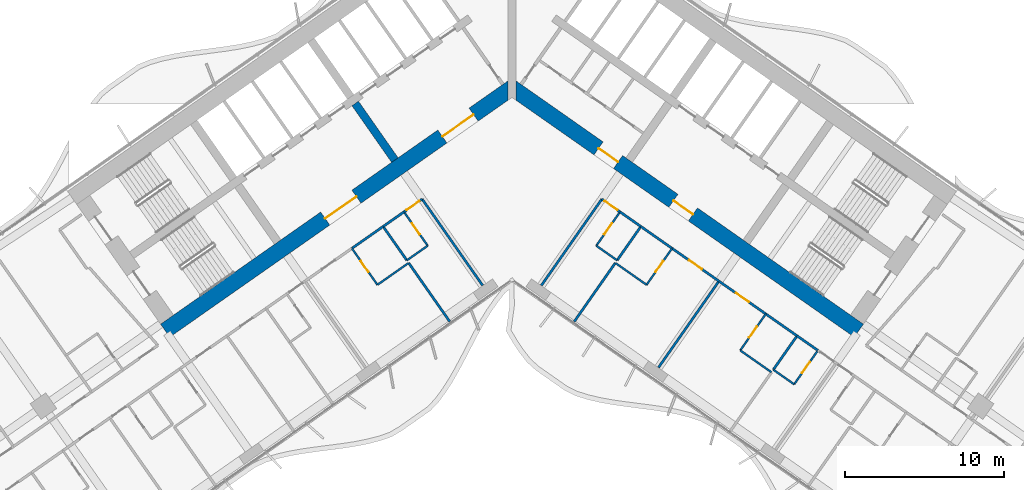
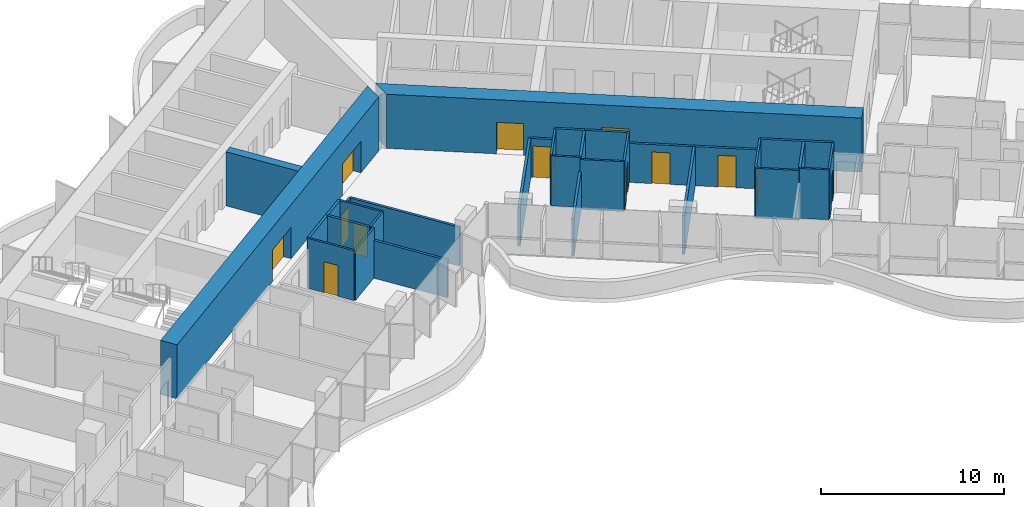
# One storey, part 15 of 25: 33 walls, 14 doors, 14 openings.
"""IFC4 building model written with IfcOpenShell, lengths in metres."""

from ifc_helpers import new_model, si_unit, direction, frame, frame_2d, origin, place, context, subcontext, project, spatial, polyline, rectangle, outline, extrude, material, layer, layer_set, type_object, element, fill, save


model = new_model("IFC4")

# Units and contexts
model_context = context("Model", 3, precision=1e-05, world=origin(), true_north=direction((0.0, 1.0)))
body_context = subcontext(model_context, "Body", "Model", "MODEL_VIEW")
ifc_project = project(units=[si_unit("LENGTHUNIT", "METRE"), si_unit("AREAUNIT", "SQUARE_METRE"), si_unit("VOLUMEUNIT", "CUBIC_METRE"), si_unit("PLANEANGLEUNIT", "RADIAN"), si_unit("MASSUNIT", "GRAM", prefix="KILO")], contexts=[model_context])

# Site, building, storey
site_placement = place(None, origin())
site = spatial("IfcSite", under=ifc_project, at=site_placement, CompositionType="ELEMENT")
building_placement = place(site_placement, origin())
building = spatial("IfcBuilding", under=site, at=building_placement, Name="Tel Ilan Convention Tower", CompositionType="ELEMENT")
storey_placement = place(building_placement, frame((0.0, 0.0, 61.699951171875)))
storey = spatial("IfcBuildingStorey", under=building, at=storey_placement, Name="L10", CompositionType="ELEMENT", Elevation=61.699951171875)

# Wall, openings, doors
ifc_material_1 = material(Name="Concrete C60/75", Category="concrete")
ifc_layer_1 = layer(ifc_material_1, 1.0)
ifc_layer_set_1 = layer_set([ifc_layer_1], Name="Core Shear Wall 1000 mm C60/75")
wall_type_1 = type_object("IfcWallType", Name="Core Shear Wall 1000 mm C60/75", PredefinedType="SHEAR", material=ifc_layer_set_1)
wall_1_placement = place(storey_placement, frame((0.036865234375, -0.584716796875, 0.0), z_axis=(0.0, 0.0, 1.0), x_axis=(-0.819157152511, -0.573569140985, 0.0)))
wall_1 = element("IfcWall", 1, at=wall_1_placement, inside=storey, type_object=wall_type_1, Name="L10 core wall W-front", PredefinedType="SHEAR", context=body_context, shape_type="SweptSolid", body=[
    extrude(outline(polyline([(26.69482421875, 0.500244140625), (0.7001953125, 0.499755859375), (0.0, -0.5), (26.69482421875, -0.499755859375), (26.69482421875, 0.500244140625)])), origin(), (0.0, 0.0, 1.0), 3.60009765625),
])
opening_1_placement = place(wall_1_placement, frame((2.994873046875, 0.0, 0.0)))
opening_1 = element("IfcOpeningElement", 2, at=opening_1_placement, cuts=wall_1, Name="Opening CD1105", PredefinedType="OPENING", context=body_context, shape_type="SweptSolid", body=[
    extrude(rectangle(XDim=2.39990234375, YDim=2.10009765625, at=frame_2d((1.199951171875, 1.050048828125))), frame((0.0, 0.510009765625, 0.0), z_axis=(0.0, -1.0, 0.0), x_axis=(1.0, 0.0, 0.0)), (0.0, 0.0, 1.0), 1.02001953125),
])
opening_2_placement = place(wall_1_placement, frame((11.994873046875, 0.0, 0.0)))
opening_2 = element("IfcOpeningElement", 3, at=opening_2_placement, cuts=wall_1, Name="Opening CD1106", PredefinedType="OPENING", context=body_context, shape_type="SweptSolid", body=[
    extrude(rectangle(XDim=2.39990234375, YDim=2.10009765625, at=frame_2d((1.199951171875, 1.050048828125))), frame((0.0, 0.510009765625, 0.0), z_axis=(0.0, -1.0, 0.0), x_axis=(1.0, 0.0, 0.0)), (0.0, 0.0, 1.0), 1.02001953125),
])
ifc_material_2 = material(Name="Glazed Aluminium Door Leaf", Category="aluminium")
door_type_1 = type_object("IfcDoorType", Name="Lobby Opening Door 2400 x 2100 FD60S", OperationType="NOTDEFINED", PredefinedType="DOOR", material=ifc_material_2)
door_1_placement = place(opening_1_placement, origin())
door_1 = element("IfcDoor", 4, at=door_1_placement, inside=storey, type_object=door_type_1, Name="Lift Lobby LR1-LR4 opening", OperationType="DOUBLE_DOOR_SINGLE_SWING", OverallHeight=2.10009765625, OverallWidth=2.39990234375, PredefinedType="DOOR", context=body_context, shape_type="SweptSolid", body=[
    extrude(rectangle(XDim=2.39990234375, YDim=2.10009765625, at=frame_2d((1.199951171875, 1.050048828125))), frame((0.0, 0.02490234375, 0.0), z_axis=(0.0, -1.0, 0.0), x_axis=(1.0, 0.0, 0.0)), (0.0, 0.0, 1.0), 0.050048828125),
])
fill(opening_1, door_1)
door_2_placement = place(opening_2_placement, origin())
door_2 = element("IfcDoor", 5, at=door_2_placement, inside=storey, type_object=door_type_1, Name="Lift Lobby LR5-LR8 opening", OperationType="DOUBLE_DOOR_SINGLE_SWING", OverallHeight=2.10009765625, OverallWidth=2.39990234375, PredefinedType="DOOR", context=body_context, shape_type="SweptSolid", body=[
    extrude(rectangle(XDim=2.39990234375, YDim=2.10009765625, at=frame_2d((1.199951171875, 1.050048828125))), frame((0.0, 0.02490234375, 0.0), z_axis=(0.0, -1.0, 0.0), x_axis=(1.0, 0.0, 0.0)), (0.0, 0.0, 1.0), 0.050048828125),
])
fill(opening_2, door_2)

wall_2_placement = place(storey_placement, frame((-0.036865234375, -0.584716796875, 0.0), z_axis=(0.0, 0.0, 1.0), x_axis=(0.819157152511, -0.573569140985, 0.0)))
wall_2 = element("IfcWall", 6, at=wall_2_placement, inside=storey, type_object=wall_type_1, Name="L10 core wall E-front", PredefinedType="SHEAR", context=body_context, shape_type="SweptSolid", body=[
    extrude(outline(polyline([(26.69482421875, 0.499755859375), (0.0, 0.5), (0.7001953125, -0.499755859375), (26.69482421875, -0.500244140625), (26.69482421875, 0.499755859375)])), origin(), (0.0, 0.0, 1.0), 3.60009765625),
])
opening_3_placement = place(wall_2_placement, frame((6.69482421875, 0.0, 0.0)))
opening_3 = element("IfcOpeningElement", 7, at=opening_3_placement, cuts=wall_2, Name="Opening CD1103", PredefinedType="OPENING", context=body_context, shape_type="SweptSolid", body=[
    extrude(rectangle(XDim=1.5, YDim=2.10009765625, at=frame_2d((0.75, 1.050048828125))), frame((0.0, 0.510009765625, 0.0), z_axis=(0.0, -1.0, 0.0), x_axis=(1.0, 0.0, 0.0)), (0.0, 0.0, 1.0), 1.02001953125),
])
opening_4_placement = place(wall_2_placement, frame((12.44482421875, 0.0, 0.0)))
opening_4 = element("IfcOpeningElement", 8, at=opening_4_placement, cuts=wall_2, Name="Opening CD1104", PredefinedType="OPENING", context=body_context, shape_type="SweptSolid", body=[
    extrude(rectangle(XDim=1.5, YDim=2.10009765625, at=frame_2d((0.75, 1.050048828125))), frame((0.0, 0.510009765625, 0.0), z_axis=(0.0, -1.0, 0.0), x_axis=(1.0, 0.0, 0.0)), (0.0, 0.0, 1.0), 1.02001953125),
])
ifc_material_3 = material(Name="Glazed Aluminium Door Leaf", Category="aluminium")
door_type_2 = type_object("IfcDoorType", Name="Lobby Opening Door 1500 x 2100 FD60S", OperationType="NOTDEFINED", PredefinedType="DOOR", material=ifc_material_3)
door_3_placement = place(opening_4_placement, origin())
door_3 = element("IfcDoor", 9, at=door_3_placement, inside=storey, type_object=door_type_2, Name="Firefighting Lobby door", OperationType="DOUBLE_DOOR_SINGLE_SWING", OverallHeight=2.10009765625, OverallWidth=1.5, PredefinedType="DOOR", context=body_context, shape_type="SweptSolid", body=[
    extrude(rectangle(XDim=1.5, YDim=2.10009765625, at=frame_2d((0.75, 1.050048828125))), frame((0.0, 0.02490234375, 0.0), z_axis=(0.0, -1.0, 0.0), x_axis=(1.0, 0.0, 0.0)), (0.0, 0.0, 1.0), 0.050048828125),
])
fill(opening_4, door_3)
ifc_material_4 = material(Name="Laminated Timber Door Leaf", Category="wood")
door_type_3 = type_object("IfcDoorType", Name="Toilet Door 1500 x 2100 FD30S", OperationType="NOTDEFINED", PredefinedType="DOOR", material=ifc_material_4)
door_4_placement = place(opening_3_placement, origin())
door_4 = element("IfcDoor", 10, at=door_4_placement, inside=storey, type_object=door_type_3, Name="WC Lobby door", OperationType="SINGLE_SWING_RIGHT", OverallHeight=2.10009765625, OverallWidth=1.5, PredefinedType="DOOR", context=body_context, shape_type="SweptSolid", body=[
    extrude(rectangle(XDim=1.5, YDim=2.10009765625, at=frame_2d((0.75, 1.050048828125))), frame((0.0, 0.02490234375, 0.0), z_axis=(0.0, -1.0, 0.0), x_axis=(1.0, 0.0, 0.0)), (0.0, 0.0, 1.0), 0.050048828125),
])
fill(opening_3, door_4)

# Wall
ifc_material_5 = material(Name="Concrete C60/75", Category="concrete")
ifc_layer_2 = layer(ifc_material_5, 0.5)
ifc_layer_set_2 = layer_set([ifc_layer_2], Name="Core Shear Wall 500 mm C60/75")
wall_type_2 = type_object("IfcWallType", Name="Core Shear Wall 500 mm C60/75", PredefinedType="SHEAR", material=ifc_layer_set_2)
wall_3_placement = place(storey_placement, frame((-7.372314453125, -5.162109375, 0.0), z_axis=(0.0, 0.0, 1.0), x_axis=(-0.573594173421, 0.819139624372, 0.0)))
element("IfcWall", 11, at=wall_3_placement, inside=storey, type_object=wall_type_2, Name="L10 core wall W-cross1-1", PredefinedType="SHEAR", context=body_context, shape_type="SweptSolid", body=[
    extrude(outline(polyline([(4.349853515625, 0.25), (0.0, 0.250244140625), (0.0, -0.25), (4.349853515625, -0.25), (4.349853515625, 0.25)])), origin(), (0.0, 0.0, 1.0), 3.60009765625),
])

# Wall, opening, door
ifc_material_6 = material(Name="Plasterboard on Steel Studs", Category="steel")
ifc_layer_3 = layer(ifc_material_6, 0.14990234375)
ifc_layer_set_3 = layer_set([ifc_layer_3], Name="Fire-rated Partition 150 EI 60")
wall_type_3 = type_object("IfcWallType", Name="Fire-rated Partition 150 EI 60", PredefinedType="PARTITIONING", material=ifc_layer_set_3)
wall_4_placement = place(storey_placement, frame((6.79931640625, -8.423095703125, 0.0), z_axis=(0.0, 0.0, 1.0), x_axis=(-0.819207359301, 0.573497430219, 0.0)))
wall_4 = element("IfcWall", 12, at=wall_4_placement, inside=storey, type_object=wall_type_3, Name="Partition 009", PredefinedType="PARTITIONING", context=body_context, shape_type="SweptSolid", body=[
    extrude(rectangle(XDim=1.40087890625, YDim=0.14990234375, at=frame_2d((0.700439453125, 0.0))), origin(), (0.0, 0.0, 1.0), 2.60009765625),
])
opening_5_placement = place(wall_4_placement, frame((0.200927734375, 0.0, 0.0)))
opening_5 = element("IfcOpeningElement", 13, at=opening_5_placement, cuts=wall_4, Name="Opening L08-025", PredefinedType="OPENING", context=body_context, shape_type="SweptSolid", body=[
    extrude(rectangle(XDim=1.0, YDim=2.10009765625, at=frame_2d((0.5, 1.050048828125))), frame((0.0, 0.0849609375, 0.0), z_axis=(0.0, -1.0, 0.0), x_axis=(1.0, 0.0, 0.0)), (0.0, 0.0, 1.0), 0.169921875),
])
ifc_material_7 = material(Name="Timber Door Leaf in Steel Frame", Category="steel")
door_type_4 = type_object("IfcDoorType", Name="Hotel Room Entrance Fire Door 1000x2100", OperationType="NOTDEFINED", PredefinedType="DOOR", material=ifc_material_7)
door_5_placement = place(opening_5_placement, origin())
door_5 = element("IfcDoor", 14, at=door_5_placement, inside=storey, type_object=door_type_4, Name="Door L08-025", OperationType="SINGLE_SWING_RIGHT", OverallHeight=2.10009765625, OverallWidth=1.0, PredefinedType="DOOR", context=body_context, shape_type="SweptSolid", body=[
    extrude(rectangle(XDim=1.0, YDim=2.10009765625, at=frame_2d((0.5, 1.050048828125))), frame((0.0, 0.02490234375, 0.0), z_axis=(0.0, -1.0, 0.0), x_axis=(1.0, 0.0, 0.0)), (0.0, 0.0, 1.0), 0.050048828125),
])
fill(opening_5, door_5)

# Wall
wall_5_placement = place(storey_placement, frame((8.110595703125, -9.341552734375, 0.0), z_axis=(0.0, 0.0, 1.0), x_axis=(-0.8190674132, 0.573697283098, 0.0)))
element("IfcWall", 15, at=wall_5_placement, inside=storey, type_object=wall_type_3, Name="Partition 011", PredefinedType="PARTITIONING", context=body_context, shape_type="SweptSolid", body=[
    extrude(rectangle(XDim=1.60400390625, YDim=0.14990234375, at=frame_2d((0.802001953125, 0.0))), origin(), (0.0, 0.0, 1.0), 3.320068359375),
])

# Wall, opening, door
wall_6_placement = place(storey_placement, frame((13.025634765625, -12.782958984375, 0.0), z_axis=(0.0, 0.0, 1.0), x_axis=(-0.819145961204, 0.573585123798, 0.0)))
wall_6 = element("IfcWall", 16, at=wall_6_placement, inside=storey, type_object=wall_type_3, Name="Partition 012", PredefinedType="PARTITIONING", context=body_context, shape_type="SweptSolid", body=[
    extrude(rectangle(XDim=3.60302734375, YDim=0.14990234375, at=frame_2d((1.801513671875, 0.0))), origin(), (0.0, 0.0, 1.0), 2.60009765625),
])
opening_6_placement = place(wall_6_placement, frame((1.302001953125, 0.0, 0.0)))
opening_6 = element("IfcOpeningElement", 17, at=opening_6_placement, cuts=wall_6, Name="Opening L08-027", PredefinedType="OPENING", context=body_context, shape_type="SweptSolid", body=[
    extrude(rectangle(XDim=1.0, YDim=2.10009765625, at=frame_2d((0.5, 1.050048828125))), frame((0.0, 0.0849609375, 0.0), z_axis=(0.0, -1.0, 0.0), x_axis=(1.0, 0.0, 0.0)), (0.0, 0.0, 1.0), 0.169921875),
])
door_6_placement = place(opening_6_placement, origin())
door_6 = element("IfcDoor", 18, at=door_6_placement, inside=storey, type_object=door_type_4, Name="Door L08-027", OperationType="SINGLE_SWING_LEFT", OverallHeight=2.10009765625, OverallWidth=1.0, PredefinedType="DOOR", context=body_context, shape_type="SweptSolid", body=[
    extrude(rectangle(XDim=1.0, YDim=2.10009765625, at=frame_2d((0.5, 1.050048828125))), frame((0.0, 0.02490234375, 0.0), z_axis=(0.0, -1.0, 0.0), x_axis=(1.0, 0.0, 0.0)), (0.0, 0.0, 1.0), 0.050048828125),
])
fill(opening_6, door_6)

# Wall
wall_7_placement = place(storey_placement, frame((10.07666015625, -10.718017578125, 0.0), z_axis=(0.0, 0.0, 1.0), x_axis=(-0.819146032251, 0.573585022335, 0.0)))
element("IfcWall", 19, at=wall_7_placement, inside=storey, type_object=wall_type_3, Name="Partition 013", PredefinedType="PARTITIONING", context=body_context, shape_type="SweptSolid", body=[
    extrude(rectangle(XDim=2.404052734375, YDim=0.14990234375, at=frame_2d((1.2021484375, 0.0))), origin(), (0.0, 0.0, 1.0), 3.320068359375),
])

# Wall, opening, door
wall_8_placement = place(storey_placement, frame((15.973876953125, -14.847412109375, 0.0), z_axis=(0.0, 0.0, 1.0), x_axis=(-0.819145961204, 0.573585123798, 0.0)))
wall_8 = element("IfcWall", 20, at=wall_8_placement, inside=storey, type_object=wall_type_3, Name="Partition 014", PredefinedType="PARTITIONING", context=body_context, shape_type="SweptSolid", body=[
    extrude(rectangle(XDim=3.60302734375, YDim=0.14990234375, at=frame_2d((1.801513671875, 0.0))), origin(), (0.0, 0.0, 1.0), 2.60009765625),
])
opening_7_placement = place(wall_8_placement, frame((1.301025390625, 0.0, 0.0)))
opening_7 = element("IfcOpeningElement", 21, at=opening_7_placement, cuts=wall_8, Name="Opening L08-029", PredefinedType="OPENING", context=body_context, shape_type="SweptSolid", body=[
    extrude(rectangle(XDim=1.0, YDim=2.10009765625, at=frame_2d((0.5, 1.050048828125))), frame((0.0, 0.0849609375, 0.0), z_axis=(0.0, -1.0, 0.0), x_axis=(1.0, 0.0, 0.0)), (0.0, 0.0, 1.0), 0.169921875),
])
door_7_placement = place(opening_7_placement, origin())
door_7 = element("IfcDoor", 22, at=door_7_placement, inside=storey, type_object=door_type_4, Name="Door L08-029", OperationType="SINGLE_SWING_LEFT", OverallHeight=2.10009765625, OverallWidth=1.0, PredefinedType="DOOR", context=body_context, shape_type="SweptSolid", body=[
    extrude(rectangle(XDim=1.0, YDim=2.10009765625, at=frame_2d((0.5, 1.050048828125))), frame((0.0, 0.02490234375, 0.0), z_axis=(0.0, -1.0, 0.0), x_axis=(1.0, 0.0, 0.0)), (0.0, 0.0, 1.0), 0.050048828125),
])
fill(opening_7, door_7)

# Walls
wall_9_placement = place(storey_placement, frame((17.940673828125, -16.224365234375, 0.0), z_axis=(0.0, 0.0, 1.0), x_axis=(-0.81922714955, 0.573469159974, 0.0)))
element("IfcWall", 23, at=wall_9_placement, inside=storey, type_object=wall_type_3, Name="Partition 015", PredefinedType="PARTITIONING", context=body_context, shape_type="SweptSolid", body=[
    extrude(rectangle(XDim=2.404052734375, YDim=0.14990234375, at=frame_2d((1.2021484375, 0.0))), origin(), (0.0, 0.0, 1.0), 3.320068359375),
])
wall_10_placement = place(storey_placement, frame((19.251220703125, -17.14208984375, 0.0), z_axis=(0.0, 0.0, 1.0), x_axis=(-0.819189013667, 0.573523634986, 0.0)))
element("IfcWall", 24, at=wall_10_placement, inside=storey, type_object=wall_type_3, Name="Partition 017", PredefinedType="PARTITIONING", context=body_context, shape_type="SweptSolid", body=[
    extrude(rectangle(XDim=1.60400390625, YDim=0.14990234375, at=frame_2d((0.802001953125, 0.0))), origin(), (0.0, 0.0, 1.0), 3.320068359375),
])

# Wall, opening, door
wall_11_placement = place(storey_placement, frame((-5.651611328125, -7.61962890625, 0.0), z_axis=(0.0, 0.0, 1.0), x_axis=(-0.819207359301, -0.573497430219, 0.0)))
wall_11 = element("IfcWall", 25, at=wall_11_placement, inside=storey, type_object=wall_type_3, Name="Partition 035", PredefinedType="PARTITIONING", context=body_context, shape_type="SweptSolid", body=[
    extrude(rectangle(XDim=1.40087890625, YDim=0.14990234375, at=frame_2d((0.700439453125, 0.0))), origin(), (0.0, 0.0, 1.0), 2.60009765625),
])
opening_8_placement = place(wall_11_placement, frame((0.199951171875, 0.0, 0.0)))
opening_8 = element("IfcOpeningElement", 26, at=opening_8_placement, cuts=wall_11, Name="Opening L08-002", PredefinedType="OPENING", context=body_context, shape_type="SweptSolid", body=[
    extrude(rectangle(XDim=1.0, YDim=2.10009765625, at=frame_2d((0.5, 1.050048828125))), frame((0.0, 0.0849609375, 0.0), z_axis=(0.0, -1.0, 0.0), x_axis=(1.0, 0.0, 0.0)), (0.0, 0.0, 1.0), 0.169921875),
])
door_8_placement = place(opening_8_placement, origin())
door_8 = element("IfcDoor", 27, at=door_8_placement, inside=storey, type_object=door_type_4, Name="Door L08-002", OperationType="SINGLE_SWING_LEFT", OverallHeight=2.10009765625, OverallWidth=1.0, PredefinedType="DOOR", context=body_context, shape_type="SweptSolid", body=[
    extrude(rectangle(XDim=1.0, YDim=2.10009765625, at=frame_2d((0.5, 1.050048828125))), frame((0.0, 0.02490234375, 0.0), z_axis=(0.0, -1.0, 0.0), x_axis=(1.0, 0.0, 0.0)), (0.0, 0.0, 1.0), 0.050048828125),
])
fill(opening_8, door_8)

# Walls
wall_12_placement = place(storey_placement, frame((-6.796875, -8.42138671875, 0.0), z_axis=(0.0, 0.0, 1.0), x_axis=(-0.8190674132, -0.573697283098, 0.0)))
element("IfcWall", 28, at=wall_12_placement, inside=storey, type_object=wall_type_3, Name="Partition 036", PredefinedType="PARTITIONING", context=body_context, shape_type="SweptSolid", body=[
    extrude(rectangle(XDim=1.60400390625, YDim=0.14990234375, at=frame_2d((0.802001953125, 0.0))), origin(), (0.0, 0.0, 1.0), 3.320068359375),
])
wall_13_placement = place(storey_placement, frame((-8.107421875, -9.339111328125, 0.0), z_axis=(0.0, 0.0, 1.0), x_axis=(-0.819146032251, -0.573585022335, 0.0)))
element("IfcWall", 29, at=wall_13_placement, inside=storey, type_object=wall_type_3, Name="Partition 038", PredefinedType="PARTITIONING", context=body_context, shape_type="SweptSolid", body=[
    extrude(rectangle(XDim=2.404052734375, YDim=0.14990234375, at=frame_2d((1.2021484375, 0.0))), origin(), (0.0, 0.0, 1.0), 3.320068359375),
])
wall_14_placement = place(storey_placement, frame((6.503662109375, -11.63330078125, 0.0), z_axis=(0.0, 0.0, 1.0), x_axis=(-0.573556991349, -0.819165659482, 0.0)))
element("IfcWall", 30, at=wall_14_placement, inside=storey, type_object=wall_type_3, Name="Partition 070", PredefinedType="PARTITIONING", context=body_context, shape_type="SweptSolid", body=[
    extrude(rectangle(XDim=4.5009765625, YDim=0.14990234375, at=frame_2d((2.25048828125, 0.0))), origin(), (0.0, 0.0, 1.0), 2.5),
])
wall_15_placement = place(storey_placement, frame((1.848876953125, -13.050537109375, 0.0), z_axis=(0.0, 0.0, 1.0), x_axis=(0.57357355307, 0.819154063177, 0.0)))
element("IfcWall", 31, at=wall_15_placement, inside=storey, type_object=wall_type_3, Name="Partition 071", PredefinedType="PARTITIONING", context=body_context, shape_type="SweptSolid", body=[
    extrude(rectangle(XDim=6.6298828125, YDim=0.14990234375, at=frame_2d((3.31494140625, 0.0))), origin(), (0.0, 0.0, 1.0), 2.60009765625),
])
wall_16_placement = place(storey_placement, frame((8.109130859375, -9.34033203125, 0.0), z_axis=(0.0, 0.0, 1.0), x_axis=(-0.573537965655, -0.819178980414, 0.0)))
element("IfcWall", 32, at=wall_16_placement, inside=storey, type_object=wall_type_3, Name="Partition 074", PredefinedType="PARTITIONING", context=body_context, shape_type="SweptSolid", body=[
    extrude(rectangle(XDim=2.60009765625, YDim=0.14990234375, at=frame_2d((1.300048828125, 0.0))), origin(), (0.0, 0.0, 1.0), 3.320068359375),
])
wall_17_placement = place(storey_placement, frame((13.02392578125, -12.78173828125, 0.0), z_axis=(0.0, 0.0, 1.0), x_axis=(-0.573556251799, -0.819166177294, 0.0)))
element("IfcWall", 33, at=wall_17_placement, inside=storey, type_object=wall_type_3, Name="Partition 077", PredefinedType="PARTITIONING", context=body_context, shape_type="SweptSolid", body=[
    extrude(rectangle(XDim=6.630126953125, YDim=0.14990234375, at=frame_2d((3.31494140625, 0.0))), origin(), (0.0, 0.0, 1.0), 2.60009765625),
])
wall_18_placement = place(storey_placement, frame((17.93896484375, -16.223388671875, 0.0), z_axis=(0.0, 0.0, 1.0), x_axis=(-0.573588285102, -0.819143747577, 0.0)))
element("IfcWall", 34, at=wall_18_placement, inside=storey, type_object=wall_type_3, Name="Partition 081", PredefinedType="PARTITIONING", context=body_context, shape_type="SweptSolid", body=[
    extrude(rectangle(XDim=2.601806640625, YDim=0.14990234375, at=frame_2d((1.30078125, 0.0))), origin(), (0.0, 0.0, 1.0), 3.320068359375),
])
wall_19_placement = place(storey_placement, frame((-1.848876953125, -13.050537109375, 0.0), z_axis=(0.0, 0.0, 1.0), x_axis=(-0.573575988258, 0.819152358047, 0.0)))
element("IfcWall", 35, at=wall_19_placement, inside=storey, type_object=wall_type_3, Name="Partition 101", PredefinedType="PARTITIONING", context=body_context, shape_type="SweptSolid", body=[
    extrude(rectangle(XDim=6.632080078125, YDim=0.14990234375, at=frame_2d((3.31591796875, 0.0))), origin(), (0.0, 0.0, 1.0), 2.60009765625),
])
wall_20_placement = place(storey_placement, frame((-3.922119140625, -15.3203125, 0.0), z_axis=(0.0, 0.0, 1.0), x_axis=(-0.573556991349, 0.819165659482, 0.0)))
element("IfcWall", 36, at=wall_20_placement, inside=storey, type_object=wall_type_3, Name="Partition 118", PredefinedType="PARTITIONING", context=body_context, shape_type="SweptSolid", body=[
    extrude(rectangle(XDim=4.5009765625, YDim=0.14990234375, at=frame_2d((2.25048828125, 0.0))), origin(), (0.0, 0.0, 1.0), 2.5),
])
wall_21_placement = place(storey_placement, frame((-6.617919921875, -11.47021484375, 0.0), z_axis=(0.0, 0.0, 1.0), x_axis=(-0.573537965655, 0.819178980414, 0.0)))
element("IfcWall", 37, at=wall_21_placement, inside=storey, type_object=wall_type_3, Name="Partition 119", PredefinedType="PARTITIONING", context=body_context, shape_type="SweptSolid", body=[
    extrude(rectangle(XDim=2.60009765625, YDim=0.14990234375, at=frame_2d((1.300048828125, 0.0))), origin(), (0.0, 0.0, 1.0), 3.320068359375),
])

# Wall, opening, door
ifc_material_8 = material(Name="Plasterboard on Steel Studs", Category="steel")
ifc_layer_4 = layer(ifc_material_8, 0.1201171875)
ifc_layer_set_4 = layer_set([ifc_layer_4], Name="Moisture-resistant Partition 120")
wall_type_4 = type_object("IfcWallType", Name="Moisture-resistant Partition 120", PredefinedType="PARTITIONING", material=ifc_layer_set_4)
wall_22_placement = place(storey_placement, frame((6.797607421875, -8.422119140625, 0.0), z_axis=(0.0, 0.0, 1.0), x_axis=(-0.573537965655, -0.819178980414, 0.0)))
wall_22 = element("IfcWall", 38, at=wall_22_placement, inside=storey, type_object=wall_type_4, Name="Partition 068", PredefinedType="PARTITIONING", context=body_context, shape_type="SweptSolid", body=[
    extrude(rectangle(XDim=2.60009765625, YDim=0.1201171875, at=frame_2d((1.300048828125, 0.0))), origin(), (0.0, 0.0, 1.0), 3.320068359375),
])
opening_9_placement = place(wall_22_placement, frame((0.875, 0.0, 0.0)))
opening_9 = element("IfcOpeningElement", 39, at=opening_9_placement, cuts=wall_22, Name="Opening L08-024", PredefinedType="OPENING", context=body_context, shape_type="SweptSolid", body=[
    extrude(rectangle(XDim=0.85009765625, YDim=2.050048828125, at=frame_2d((0.425048828125, 1.02490234375))), frame((0.0, 0.070068359375, 0.0), z_axis=(0.0, -1.0, 0.0), x_axis=(1.0, 0.0, 0.0)), (0.0, 0.0, 1.0), 0.14013671875),
])
ifc_material_9 = material(Name="Timber Door Leaf in Steel Frame", Category="steel")
door_type_5 = type_object("IfcDoorType", Name="Bathroom Timber Door 850x2050", OperationType="NOTDEFINED", PredefinedType="DOOR", material=ifc_material_9)
door_9_placement = place(opening_9_placement, origin())
door_9 = element("IfcDoor", 40, at=door_9_placement, inside=storey, type_object=door_type_5, Name="Door L08-024", OperationType="SINGLE_SWING_LEFT", OverallHeight=2.050048828125, OverallWidth=0.85009765625, PredefinedType="DOOR", context=body_context, shape_type="SweptSolid", body=[
    extrude(rectangle(XDim=0.85009765625, YDim=2.050048828125, at=frame_2d((0.425048828125, 1.02490234375))), frame((0.0, 0.02490234375, 0.0), z_axis=(0.0, -1.0, 0.0), x_axis=(1.0, 0.0, 0.0)), (0.0, 0.0, 1.0), 0.050048828125),
])
fill(opening_9, door_9)

# Walls
wall_23_placement = place(storey_placement, frame((5.306640625, -10.55322265625, 0.0), z_axis=(0.0, 0.0, 1.0), x_axis=(0.819131543282, -0.57360571371, 0.0)))
element("IfcWall", 41, at=wall_23_placement, inside=storey, type_object=wall_type_4, Name="Partition 069", PredefinedType="PARTITIONING", context=body_context, shape_type="SweptSolid", body=[
    extrude(rectangle(XDim=1.599853515625, YDim=0.1201171875, at=frame_2d((0.7998046875, 0.0))), origin(), (0.0, 0.0, 1.0), 3.320068359375),
])
wall_24_placement = place(storey_placement, frame((6.50244140625, -11.634765625, 0.0), z_axis=(0.0, 0.0, 1.0), x_axis=(0.819141114317, -0.573592045652, 0.0)))
element("IfcWall", 42, at=wall_24_placement, inside=storey, type_object=wall_type_4, Name="Partition 075", PredefinedType="PARTITIONING", context=body_context, shape_type="SweptSolid", body=[
    extrude(rectangle(XDim=2.400146484375, YDim=0.1201171875, at=frame_2d((1.2001953125, 0.0))), origin(), (0.0, 0.0, 1.0), 3.320068359375),
])

# Wall, opening, door
wall_25_placement = place(storey_placement, frame((8.469970703125, -13.01123046875, 0.0), z_axis=(0.0, 0.0, 1.0), x_axis=(0.573550118428, 0.819170471667, 0.0)))
wall_25 = element("IfcWall", 43, at=wall_25_placement, inside=storey, type_object=wall_type_4, Name="Partition 076", PredefinedType="PARTITIONING", context=body_context, shape_type="SweptSolid", body=[
    extrude(rectangle(XDim=2.800048828125, YDim=0.1201171875, at=frame_2d((1.39990234375, 0.0))), origin(), (0.0, 0.0, 1.0), 3.320068359375),
])
opening_10_placement = place(wall_25_placement, frame((0.97509765625, 0.0, 0.0)))
opening_10 = element("IfcOpeningElement", 44, at=opening_10_placement, cuts=wall_25, Name="Opening L08-026", PredefinedType="OPENING", context=body_context, shape_type="SweptSolid", body=[
    extrude(rectangle(XDim=0.85009765625, YDim=2.050048828125, at=frame_2d((0.425048828125, 1.02490234375))), frame((0.0, 0.070068359375, 0.0), z_axis=(0.0, -1.0, 0.0), x_axis=(1.0, 0.0, 0.0)), (0.0, 0.0, 1.0), 0.14013671875),
])
door_10_placement = place(opening_10_placement, origin())
door_10 = element("IfcDoor", 45, at=door_10_placement, inside=storey, type_object=door_type_5, Name="Door L08-026", OperationType="SINGLE_SWING_RIGHT", OverallHeight=2.050048828125, OverallWidth=0.85009765625, PredefinedType="DOOR", context=body_context, shape_type="SweptSolid", body=[
    extrude(rectangle(XDim=0.85009765625, YDim=2.050048828125, at=frame_2d((0.425048828125, 1.02490234375))), frame((0.0, 0.02490234375, 0.0), z_axis=(0.0, -1.0, 0.0), x_axis=(1.0, 0.0, 0.0)), (0.0, 0.0, 1.0), 0.050048828125),
])
fill(opening_10, door_10)

wall_26_placement = place(storey_placement, frame((15.97216796875, -14.84619140625, 0.0), z_axis=(0.0, 0.0, 1.0), x_axis=(-0.573550118428, -0.819170471667, 0.0)))
wall_26 = element("IfcWall", 46, at=wall_26_placement, inside=storey, type_object=wall_type_4, Name="Partition 078", PredefinedType="PARTITIONING", context=body_context, shape_type="SweptSolid", body=[
    extrude(rectangle(XDim=2.800048828125, YDim=0.1201171875, at=frame_2d((1.39990234375, 0.0))), origin(), (0.0, 0.0, 1.0), 3.320068359375),
])
opening_11_placement = place(wall_26_placement, frame((0.97509765625, 0.0, 0.0)))
opening_11 = element("IfcOpeningElement", 47, at=opening_11_placement, cuts=wall_26, Name="Opening L08-028", PredefinedType="OPENING", context=body_context, shape_type="SweptSolid", body=[
    extrude(rectangle(XDim=0.85009765625, YDim=2.050048828125, at=frame_2d((0.425048828125, 1.02490234375))), frame((0.0, 0.070068359375, 0.0), z_axis=(0.0, -1.0, 0.0), x_axis=(1.0, 0.0, 0.0)), (0.0, 0.0, 1.0), 0.14013671875),
])
door_11_placement = place(opening_11_placement, origin())
door_11 = element("IfcDoor", 48, at=door_11_placement, inside=storey, type_object=door_type_5, Name="Door L08-028", OperationType="SINGLE_SWING_RIGHT", OverallHeight=2.050048828125, OverallWidth=0.85009765625, PredefinedType="DOOR", context=body_context, shape_type="SweptSolid", body=[
    extrude(rectangle(XDim=0.85009765625, YDim=2.050048828125, at=frame_2d((0.425048828125, 1.02490234375))), frame((0.0, 0.02490234375, 0.0), z_axis=(0.0, -1.0, 0.0), x_axis=(1.0, 0.0, 0.0)), (0.0, 0.0, 1.0), 0.050048828125),
])
fill(opening_11, door_11)

# Walls
wall_27_placement = place(storey_placement, frame((14.366455078125, -17.14111328125, 0.0), z_axis=(0.0, 0.0, 1.0), x_axis=(0.819155442668, -0.573571582932, 0.0)))
element("IfcWall", 49, at=wall_27_placement, inside=storey, type_object=wall_type_4, Name="Partition 079", PredefinedType="PARTITIONING", context=body_context, shape_type="SweptSolid", body=[
    extrude(rectangle(XDim=2.39990234375, YDim=0.1201171875, at=frame_2d((1.199951171875, 0.0))), origin(), (0.0, 0.0, 1.0), 3.320068359375),
])
wall_28_placement = place(storey_placement, frame((16.447021484375, -18.35400390625, 0.0), z_axis=(0.0, 0.0, 1.0), x_axis=(0.819253425856, -0.573431621227, 0.0)))
element("IfcWall", 50, at=wall_28_placement, inside=storey, type_object=wall_type_4, Name="Partition 082", PredefinedType="PARTITIONING", context=body_context, shape_type="SweptSolid", body=[
    extrude(rectangle(XDim=1.60009765625, YDim=0.1201171875, at=frame_2d((0.800048828125, 0.0))), origin(), (0.0, 0.0, 1.0), 3.320068359375),
])

# Wall, opening, door
wall_29_placement = place(storey_placement, frame((17.759033203125, -19.271484375, 0.0), z_axis=(0.0, 0.0, 1.0), x_axis=(0.573600972199, 0.819134863556, 0.0)))
wall_29 = element("IfcWall", 51, at=wall_29_placement, inside=storey, type_object=wall_type_4, Name="Partition 083", PredefinedType="PARTITIONING", context=body_context, shape_type="SweptSolid", body=[
    extrude(rectangle(XDim=2.60009765625, YDim=0.1201171875, at=frame_2d((1.300048828125, 0.0))), origin(), (0.0, 0.0, 1.0), 3.320068359375),
])
opening_12_placement = place(wall_29_placement, frame((0.875, 0.0, 0.0)))
opening_12 = element("IfcOpeningElement", 52, at=opening_12_placement, cuts=wall_29, Name="Opening L08-030", PredefinedType="OPENING", context=body_context, shape_type="SweptSolid", body=[
    extrude(rectangle(XDim=0.85009765625, YDim=2.050048828125, at=frame_2d((0.425048828125, 1.02490234375))), frame((0.0, 0.070068359375, 0.0), z_axis=(0.0, -1.0, 0.0), x_axis=(1.0, 0.0, 0.0)), (0.0, 0.0, 1.0), 0.14013671875),
])
door_12_placement = place(opening_12_placement, origin())
door_12 = element("IfcDoor", 53, at=door_12_placement, inside=storey, type_object=door_type_5, Name="Door L08-030", OperationType="SINGLE_SWING_LEFT", OverallHeight=2.050048828125, OverallWidth=0.85009765625, PredefinedType="DOOR", context=body_context, shape_type="SweptSolid", body=[
    extrude(rectangle(XDim=0.85009765625, YDim=2.050048828125, at=frame_2d((0.425048828125, 1.02490234375))), frame((0.0, 0.02490234375, 0.0), z_axis=(0.0, -1.0, 0.0), x_axis=(1.0, 0.0, 0.0)), (0.0, 0.0, 1.0), 0.050048828125),
])
fill(opening_12, door_12)

# Wall
wall_30_placement = place(storey_placement, frame((-6.6171875, -11.470947265625, 0.0), z_axis=(0.0, 0.0, 1.0), x_axis=(0.819131543282, 0.57360571371, 0.0)))
element("IfcWall", 54, at=wall_30_placement, inside=storey, type_object=wall_type_4, Name="Partition 116", PredefinedType="PARTITIONING", context=body_context, shape_type="SweptSolid", body=[
    extrude(rectangle(XDim=1.599853515625, YDim=0.1201171875, at=frame_2d((0.7998046875, 0.0))), origin(), (0.0, 0.0, 1.0), 3.320068359375),
])

# Wall, opening, door
wall_31_placement = place(storey_placement, frame((-5.306396484375, -10.552001953125, 0.0), z_axis=(0.0, 0.0, 1.0), x_axis=(-0.573537965655, 0.819178980414, 0.0)))
wall_31 = element("IfcWall", 55, at=wall_31_placement, inside=storey, type_object=wall_type_4, Name="Partition 117", PredefinedType="PARTITIONING", context=body_context, shape_type="SweptSolid", body=[
    extrude(rectangle(XDim=2.60009765625, YDim=0.1201171875, at=frame_2d((1.300048828125, 0.0))), origin(), (0.0, 0.0, 1.0), 3.320068359375),
])
opening_13_placement = place(wall_31_placement, frame((0.875, 0.0, 0.0)))
opening_13 = element("IfcOpeningElement", 56, at=opening_13_placement, cuts=wall_31, Name="Opening L08-001", PredefinedType="OPENING", context=body_context, shape_type="SweptSolid", body=[
    extrude(rectangle(XDim=0.85009765625, YDim=2.050048828125, at=frame_2d((0.425048828125, 1.02490234375))), frame((0.0, 0.070068359375, 0.0), z_axis=(0.0, -1.0, 0.0), x_axis=(1.0, 0.0, 0.0)), (0.0, 0.0, 1.0), 0.14013671875),
])
door_13_placement = place(opening_13_placement, origin())
door_13 = element("IfcDoor", 57, at=door_13_placement, inside=storey, type_object=door_type_5, Name="Door L08-001", OperationType="SINGLE_SWING_RIGHT", OverallHeight=2.050048828125, OverallWidth=0.85009765625, PredefinedType="DOOR", context=body_context, shape_type="SweptSolid", body=[
    extrude(rectangle(XDim=0.85009765625, YDim=2.050048828125, at=frame_2d((0.425048828125, 1.02490234375))), frame((0.0, 0.02490234375, 0.0), z_axis=(0.0, -1.0, 0.0), x_axis=(1.0, 0.0, 0.0)), (0.0, 0.0, 1.0), 0.050048828125),
])
fill(opening_13, door_13)

wall_32_placement = place(storey_placement, frame((-10.075927734375, -10.717529296875, 0.0), z_axis=(0.0, 0.0, 1.0), x_axis=(0.573550118428, -0.819170471667, 0.0)))
wall_32 = element("IfcWall", 58, at=wall_32_placement, inside=storey, type_object=wall_type_4, Name="Partition 120", PredefinedType="PARTITIONING", context=body_context, shape_type="SweptSolid", body=[
    extrude(rectangle(XDim=2.800048828125, YDim=0.1201171875, at=frame_2d((1.39990234375, 0.0))), origin(), (0.0, 0.0, 1.0), 3.320068359375),
])
opening_14_placement = place(wall_32_placement, frame((0.97509765625, 0.0, 0.0)))
opening_14 = element("IfcOpeningElement", 59, at=opening_14_placement, cuts=wall_32, Name="Opening L08-003", PredefinedType="OPENING", context=body_context, shape_type="SweptSolid", body=[
    extrude(rectangle(XDim=0.85009765625, YDim=2.050048828125, at=frame_2d((0.425048828125, 1.02490234375))), frame((0.0, 0.070068359375, 0.0), z_axis=(0.0, -1.0, 0.0), x_axis=(1.0, 0.0, 0.0)), (0.0, 0.0, 1.0), 0.14013671875),
])
door_14_placement = place(opening_14_placement, origin())
door_14 = element("IfcDoor", 60, at=door_14_placement, inside=storey, type_object=door_type_5, Name="Door L08-003", OperationType="SINGLE_SWING_LEFT", OverallHeight=2.050048828125, OverallWidth=0.85009765625, PredefinedType="DOOR", context=body_context, shape_type="SweptSolid", body=[
    extrude(rectangle(XDim=0.85009765625, YDim=2.050048828125, at=frame_2d((0.425048828125, 1.02490234375))), frame((0.0, 0.02490234375, 0.0), z_axis=(0.0, -1.0, 0.0), x_axis=(1.0, 0.0, 0.0)), (0.0, 0.0, 1.0), 0.050048828125),
])
fill(opening_14, door_14)

# Wall
wall_33_placement = place(storey_placement, frame((-8.468505859375, -13.011474609375, 0.0), z_axis=(0.0, 0.0, 1.0), x_axis=(0.819141114317, 0.573592045652, 0.0)))
element("IfcWall", 61, at=wall_33_placement, inside=storey, type_object=wall_type_4, Name="Partition 121", PredefinedType="PARTITIONING", context=body_context, shape_type="SweptSolid", body=[
    extrude(rectangle(XDim=2.400146484375, YDim=0.1201171875, at=frame_2d((1.2001953125, 0.0))), origin(), (0.0, 0.0, 1.0), 3.320068359375),
])

save(model, "model.ifc")
